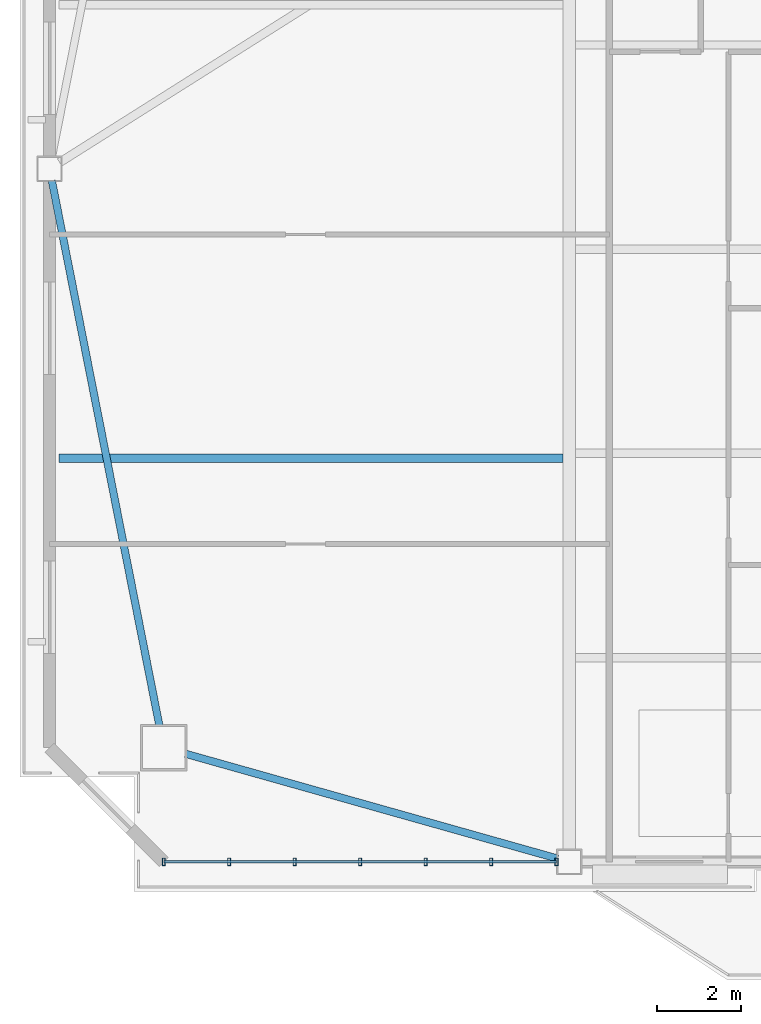
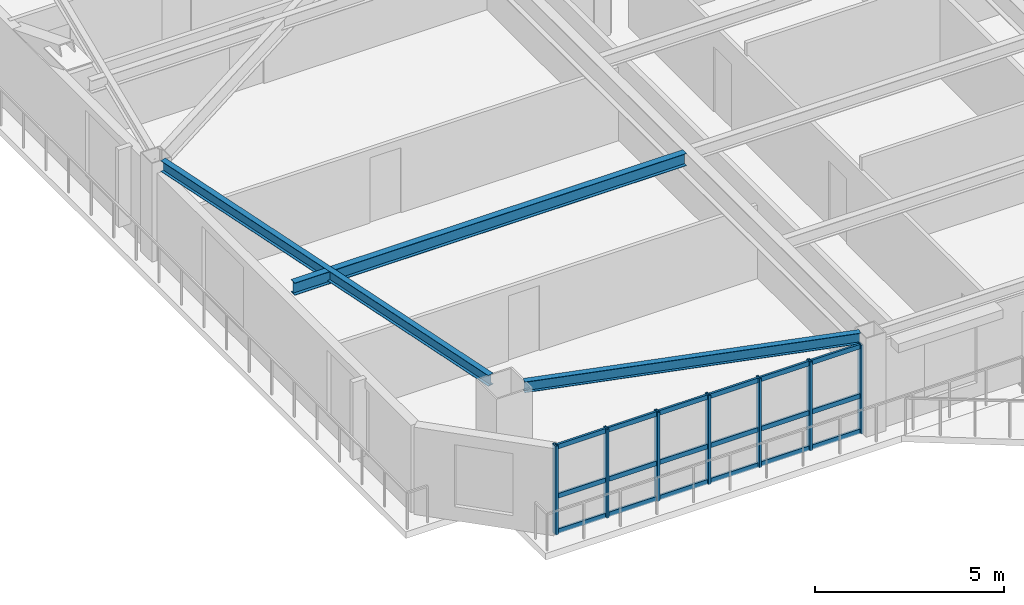
# One storey, part 2 of 16: 10 members, 3 beams, 1 element without a shape of its own.
"""IFC4 building model written with IfcOpenShell, lengths in metres."""

from ifc_helpers import new_model, si_unit, direction, frame, origin, origin_2d, place, context, subcontext, project, spatial, hollow_rectangle, i_section, extrude, source, transform, mapped, material, layer, layer_set, material_profile, profile_set, type_object, element, aggregate, save


model = new_model("IFC4")

# Units and contexts
model_context = context("Model", 3, precision=1e-05, world=origin(), true_north=direction((0.0, 1.0)))
body_context = subcontext(model_context, "Body", "Model", "MODEL_VIEW")
ifc_project = project(units=[si_unit("LENGTHUNIT", "METRE"), si_unit("AREAUNIT", "SQUARE_METRE"), si_unit("VOLUMEUNIT", "CUBIC_METRE"), si_unit("PLANEANGLEUNIT", "RADIAN"), si_unit("MASSUNIT", "GRAM", prefix="KILO")], contexts=[model_context])

# Site, building, storey
site_placement = place(None, origin())
site = spatial("IfcSite", under=ifc_project, at=site_placement, CompositionType="ELEMENT")
building_placement = place(site_placement, origin())
building = spatial("IfcBuilding", under=site, at=building_placement, Name="Giltprow Tower", CompositionType="ELEMENT")
storey_placement = place(building_placement, frame((0.0, 0.0, 227.0)))
storey = spatial("IfcBuildingStorey", under=building, at=storey_placement, Name="L57", CompositionType="ELEMENT", Elevation=227.0)

# Beams
ifc_material_1 = material(Name="Structural steel Q355B", Category="steel")
ifc_material_profile_1 = material_profile(ifc_material_1, i_section(OverallWidth=0.199951171875, OverallDepth=0.39990234375, WebThickness=0.008056640625, FlangeThickness=0.012939453125, at=origin_2d()), Name="HN 400x200x8x13")
ifc_profile_set_1 = profile_set([ifc_material_profile_1], Name="Structural steel Q355B")
beam_type_1 = type_object("IfcBeamType", Name="BM-JOIST-HN400", PredefinedType="JOIST", material=ifc_profile_set_1)
shared_shape_1 = source(origin(), body_context, "Body", "SweptSolid", [
    extrude(i_section(OverallWidth=0.199951171875, OverallDepth=0.39990234375, WebThickness=0.008056640625, FlangeThickness=0.012939453125, at=origin_2d()), origin(), (0.0, 0.0, 1.0), 11.9521484375),
])
beam_1_placement = place(storey_placement, frame((7.7529296875, 22.81591796875, 2.985107421875), z_axis=(1.0, 0.0, 0.0), x_axis=(0.0, 1.0, 0.0)))
element("IfcBeam", 1, at=beam_1_placement, inside=storey, type_object=beam_type_1, Name="L57 West Wing Floor Joist 1", PredefinedType="JOIST", context=body_context, shape_type="MappedRepresentation", body=[
    mapped(shared_shape_1, transform((0.0, 0.0, 0.0), x_axis=(1.0, 0.0, 0.0), y_axis=(0.0, 1.0, 0.0), z_axis=(0.0, 0.0, 1.0), scale=1.0)),
])
ifc_material_profile_2 = material_profile(ifc_material_1, i_section(OverallWidth=0.175048828125, OverallDepth=0.35009765625, WebThickness=0.007080078125, FlangeThickness=0.010986328125, at=origin_2d()), Name="HN 350x175x7x11")
ifc_profile_set_2 = profile_set([ifc_material_profile_2], Name="Structural steel Q355B")
beam_type_2 = type_object("IfcBeamType", Name="BM-SPAN-HN350", PredefinedType="SPANDREL", material=ifc_profile_set_2)
shared_shape_2 = source(origin(), body_context, "Body", "SweptSolid", [
    extrude(i_section(OverallWidth=0.175048828125, OverallDepth=0.35009765625, WebThickness=0.007080078125, FlangeThickness=0.010986328125, at=origin_2d()), origin(), (0.0, 0.0, 1.0), 9.164306640625),
])
beam_2_placement = place(storey_placement, frame((10.7548828125, 15.81201171875, 3.010009765625), z_axis=(0.962531726168, -0.27116909138, 0.0), x_axis=(0.27116909138, 0.962531726168, 0.0)))
element("IfcBeam", 2, at=beam_2_placement, inside=storey, type_object=beam_type_2, Name="L57 Perimeter Spandrel Beam MC_SW-S1", PredefinedType="SPANDREL", context=body_context, shape_type="MappedRepresentation", body=[
    mapped(shared_shape_2, transform((0.0, 0.0, 0.0), x_axis=(1.0, 0.0, 0.0), y_axis=(0.0, 1.0, 0.0), z_axis=(0.0, 0.0, 1.0), scale=1.0)),
])
shared_shape_3 = source(origin(), body_context, "Body", "SweptSolid", [
    extrude(i_section(OverallWidth=0.175048828125, OverallDepth=0.35009765625, WebThickness=0.007080078125, FlangeThickness=0.010986328125, at=origin_2d()), origin(), (0.0, 0.0, 1.0), 13.162109375),
])
beam_3_placement = place(storey_placement, frame((7.587890625, 29.39501953125, 3.010009765625), z_axis=(0.193593566524, -0.98108181667, 0.0), x_axis=(0.98108181667, 0.193593566524, 0.0)))
element("IfcBeam", 3, at=beam_3_placement, inside=storey, type_object=beam_type_2, Name="L57 Perimeter Spandrel Beam W_MID-MC_SW", PredefinedType="SPANDREL", context=body_context, shape_type="MappedRepresentation", body=[
    mapped(shared_shape_3, transform((0.0, 0.0, 0.0), x_axis=(1.0, 0.0, 0.0), y_axis=(0.0, 1.0, 0.0), z_axis=(0.0, 0.0, 1.0), scale=1.0)),
])

# Curtain wall, members
ifc_material_2 = material(Name="Anodized bronze", Category="metal")
ifc_layer = layer(ifc_material_2, 0.179931640625, Name="Anodized bronze")
ifc_layer_set = layer_set([ifc_layer], Name="Anodized bronze")
curtain_wall_type = type_object("IfcCurtainWallType", Name="CW-RES-SKY", PredefinedType="NOTDEFINED", material=ifc_layer_set)
curtain_wall_placement = place(storey_placement, origin())
curtain_wall = element("IfcCurtainWall", 4, at=curtain_wall_placement, inside=storey, type_object=curtain_wall_type, Name="L57 South Recessed Curtain Wall 1", PredefinedType="NOTDEFINED")
ifc_material_profile_3 = material_profile(ifc_material_2, hollow_rectangle(XDim=0.074951171875, YDim=0.179931640625, WallThickness=0.008056640625, at=origin_2d()), Name="RHS 180x75x8")
ifc_profile_set_3 = profile_set([ifc_material_profile_3], Name="Anodized bronze")
member_type_1 = type_object("IfcMemberType", Name="CW-MULLION-180x75", PredefinedType="MULLION", material=ifc_profile_set_3)
shared_shape_4 = source(origin(), body_context, "Body", "SweptSolid", [
    extrude(hollow_rectangle(XDim=0.074951171875, YDim=0.179931640625, WallThickness=0.008056640625, at=origin_2d()), origin(), (0.0, 0.0, 1.0), 2.8701171875),
])
member_1_placement = place(storey_placement, frame((10.239990234375, 13.25, -0.02001953125), z_axis=(0.0, 0.0, 1.0), x_axis=(1.0, 0.0, 0.0)))
member_1 = element("IfcMember", 5, at=member_1_placement, type_object=member_type_1, Name="L57 South Recessed Curtain Wall 1 Mullion 1", PredefinedType="MULLION", context=body_context, shape_type="MappedRepresentation", body=[
    mapped(shared_shape_4, transform((0.0, 0.0, 0.0), x_axis=(1.0, 0.0, 0.0), y_axis=(0.0, 1.0, 0.0), z_axis=(0.0, 0.0, 1.0), scale=1.0)),
])
member_2_placement = place(storey_placement, frame((11.7919921875, 13.25, -0.02001953125), z_axis=(0.0, 0.0, 1.0), x_axis=(1.0, 0.0, 0.0)))
member_2 = element("IfcMember", 6, at=member_2_placement, type_object=member_type_1, Name="L57 South Recessed Curtain Wall 1 Mullion 2", PredefinedType="MULLION", context=body_context, shape_type="MappedRepresentation", body=[
    mapped(shared_shape_4, transform((0.0, 0.0, 0.0), x_axis=(1.0, 0.0, 0.0), y_axis=(0.0, 1.0, 0.0), z_axis=(0.0, 0.0, 1.0), scale=1.0)),
])
member_3_placement = place(storey_placement, frame((13.343017578125, 13.25, -0.02001953125), z_axis=(0.0, 0.0, 1.0), x_axis=(1.0, 0.0, 0.0)))
member_3 = element("IfcMember", 7, at=member_3_placement, type_object=member_type_1, Name="L57 South Recessed Curtain Wall 1 Mullion 3", PredefinedType="MULLION", context=body_context, shape_type="MappedRepresentation", body=[
    mapped(shared_shape_4, transform((0.0, 0.0, 0.0), x_axis=(1.0, 0.0, 0.0), y_axis=(0.0, 1.0, 0.0), z_axis=(0.0, 0.0, 1.0), scale=1.0)),
])
member_4_placement = place(storey_placement, frame((14.89501953125, 13.25, -0.02001953125), z_axis=(0.0, 0.0, 1.0), x_axis=(1.0, 0.0, 0.0)))
member_4 = element("IfcMember", 8, at=member_4_placement, type_object=member_type_1, Name="L57 South Recessed Curtain Wall 1 Mullion 4", PredefinedType="MULLION", context=body_context, shape_type="MappedRepresentation", body=[
    mapped(shared_shape_4, transform((0.0, 0.0, 0.0), x_axis=(1.0, 0.0, 0.0), y_axis=(0.0, 1.0, 0.0), z_axis=(0.0, 0.0, 1.0), scale=1.0)),
])
member_5_placement = place(storey_placement, frame((16.447021484375, 13.25, -0.02001953125), z_axis=(0.0, 0.0, 1.0), x_axis=(1.0, 0.0, 0.0)))
member_5 = element("IfcMember", 9, at=member_5_placement, type_object=member_type_1, Name="L57 South Recessed Curtain Wall 1 Mullion 5", PredefinedType="MULLION", context=body_context, shape_type="MappedRepresentation", body=[
    mapped(shared_shape_4, transform((0.0, 0.0, 0.0), x_axis=(1.0, 0.0, 0.0), y_axis=(0.0, 1.0, 0.0), z_axis=(0.0, 0.0, 1.0), scale=1.0)),
])
member_6_placement = place(storey_placement, frame((17.998046875, 13.25, -0.02001953125), z_axis=(0.0, 0.0, 1.0), x_axis=(1.0, 0.0, 0.0)))
member_6 = element("IfcMember", 10, at=member_6_placement, type_object=member_type_1, Name="L57 South Recessed Curtain Wall 1 Mullion 6", PredefinedType="MULLION", context=body_context, shape_type="MappedRepresentation", body=[
    mapped(shared_shape_4, transform((0.0, 0.0, 0.0), x_axis=(1.0, 0.0, 0.0), y_axis=(0.0, 1.0, 0.0), z_axis=(0.0, 0.0, 1.0), scale=1.0)),
])
member_7_placement = place(storey_placement, frame((19.550048828125, 13.25, -0.02001953125), z_axis=(0.0, 0.0, 1.0), x_axis=(1.0, 0.0, 0.0)))
member_7 = element("IfcMember", 11, at=member_7_placement, type_object=member_type_1, Name="L57 South Recessed Curtain Wall 1 Mullion 7", PredefinedType="MULLION", context=body_context, shape_type="MappedRepresentation", body=[
    mapped(shared_shape_4, transform((0.0, 0.0, 0.0), x_axis=(1.0, 0.0, 0.0), y_axis=(0.0, 1.0, 0.0), z_axis=(0.0, 0.0, 1.0), scale=1.0)),
])
ifc_material_profile_4 = material_profile(ifc_material_2, hollow_rectangle(XDim=0.06494140625, YDim=0.14990234375, WallThickness=0.006103515625, at=origin_2d()), Name="RHS 150x65x6")
ifc_profile_set_4 = profile_set([ifc_material_profile_4], Name="Anodized bronze")
member_type_2 = type_object("IfcMemberType", Name="CW-TRANSOM-150x65", PredefinedType="USERDEFINED", material=ifc_profile_set_4)
shared_shape_5 = source(origin(), body_context, "Body", "SweptSolid", [
    extrude(hollow_rectangle(XDim=0.06494140625, YDim=0.14990234375, WallThickness=0.006103515625, at=origin_2d()), origin(), (0.0, 0.0, 1.0), 9.31005859375),
])
member_8_placement = place(storey_placement, frame((10.239990234375, 13.25, 0.0400390625), z_axis=(1.0, 0.0, 0.0), x_axis=(0.0, 1.0, 0.0)))
member_8 = element("IfcMember", 12, at=member_8_placement, type_object=member_type_2, Name="L57 South Recessed Curtain Wall 1 Transom 1", ObjectType="TRANSOM", PredefinedType="USERDEFINED", context=body_context, shape_type="MappedRepresentation", body=[
    mapped(shared_shape_5, transform((0.0, 0.0, 0.0), x_axis=(1.0, 0.0, 0.0), y_axis=(0.0, 1.0, 0.0), z_axis=(0.0, 0.0, 1.0), scale=1.0)),
])
member_9_placement = place(storey_placement, frame((10.239990234375, 13.25, 1.181884765625), z_axis=(1.0, 0.0, 0.0), x_axis=(0.0, 1.0, 0.0)))
member_9 = element("IfcMember", 13, at=member_9_placement, type_object=member_type_2, Name="L57 South Recessed Curtain Wall 1 Transom 2", ObjectType="TRANSOM", PredefinedType="USERDEFINED", context=body_context, shape_type="MappedRepresentation", body=[
    mapped(shared_shape_5, transform((0.0, 0.0, 0.0), x_axis=(1.0, 0.0, 0.0), y_axis=(0.0, 1.0, 0.0), z_axis=(0.0, 0.0, 1.0), scale=1.0)),
])
member_10_placement = place(storey_placement, frame((10.239990234375, 13.25, 2.77490234375), z_axis=(1.0, 0.0, 0.0), x_axis=(0.0, 1.0, 0.0)))
member_10 = element("IfcMember", 14, at=member_10_placement, type_object=member_type_2, Name="L57 South Recessed Curtain Wall 1 Transom 3", ObjectType="TRANSOM", PredefinedType="USERDEFINED", context=body_context, shape_type="MappedRepresentation", body=[
    mapped(shared_shape_5, transform((0.0, 0.0, 0.0), x_axis=(1.0, 0.0, 0.0), y_axis=(0.0, 1.0, 0.0), z_axis=(0.0, 0.0, 1.0), scale=1.0)),
])
aggregate(curtain_wall, [member_1, member_2, member_3, member_4, member_5, member_6, member_7, member_8, member_9, member_10])

save(model, "model.ifc")
